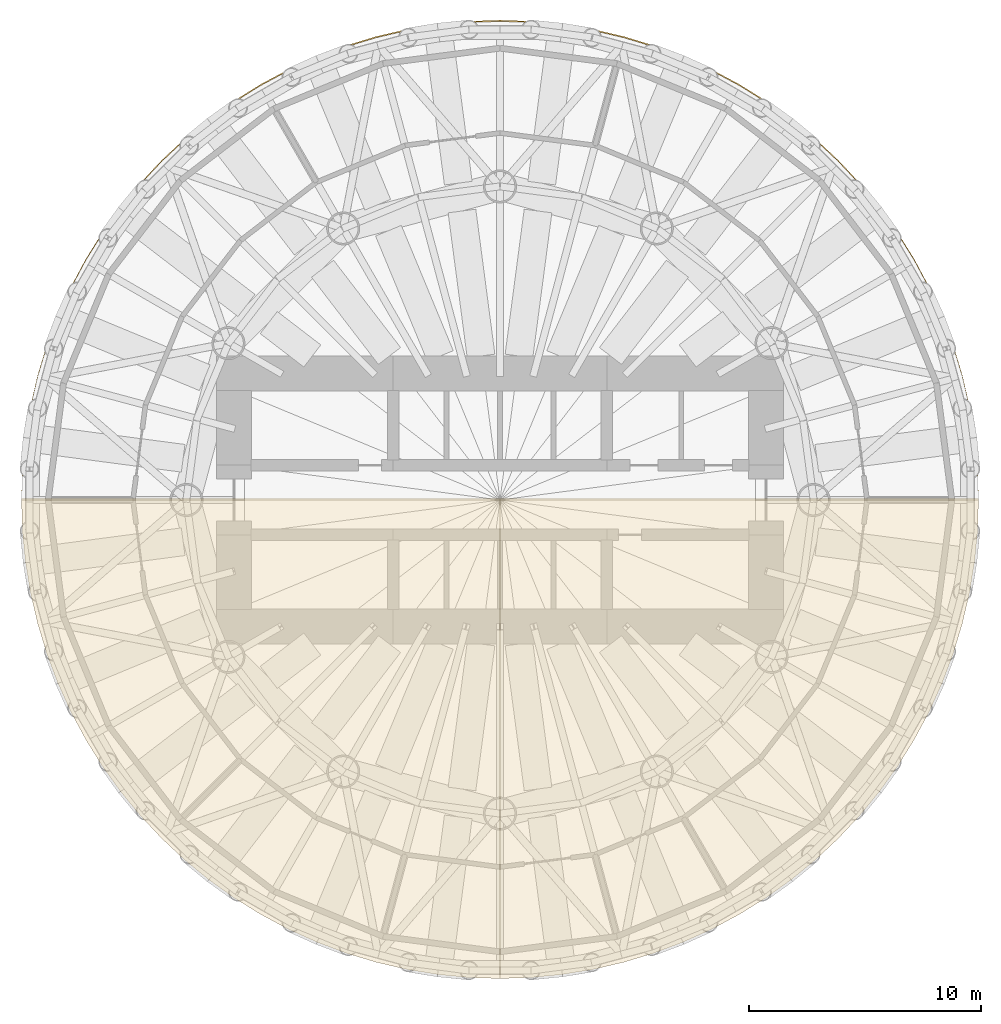
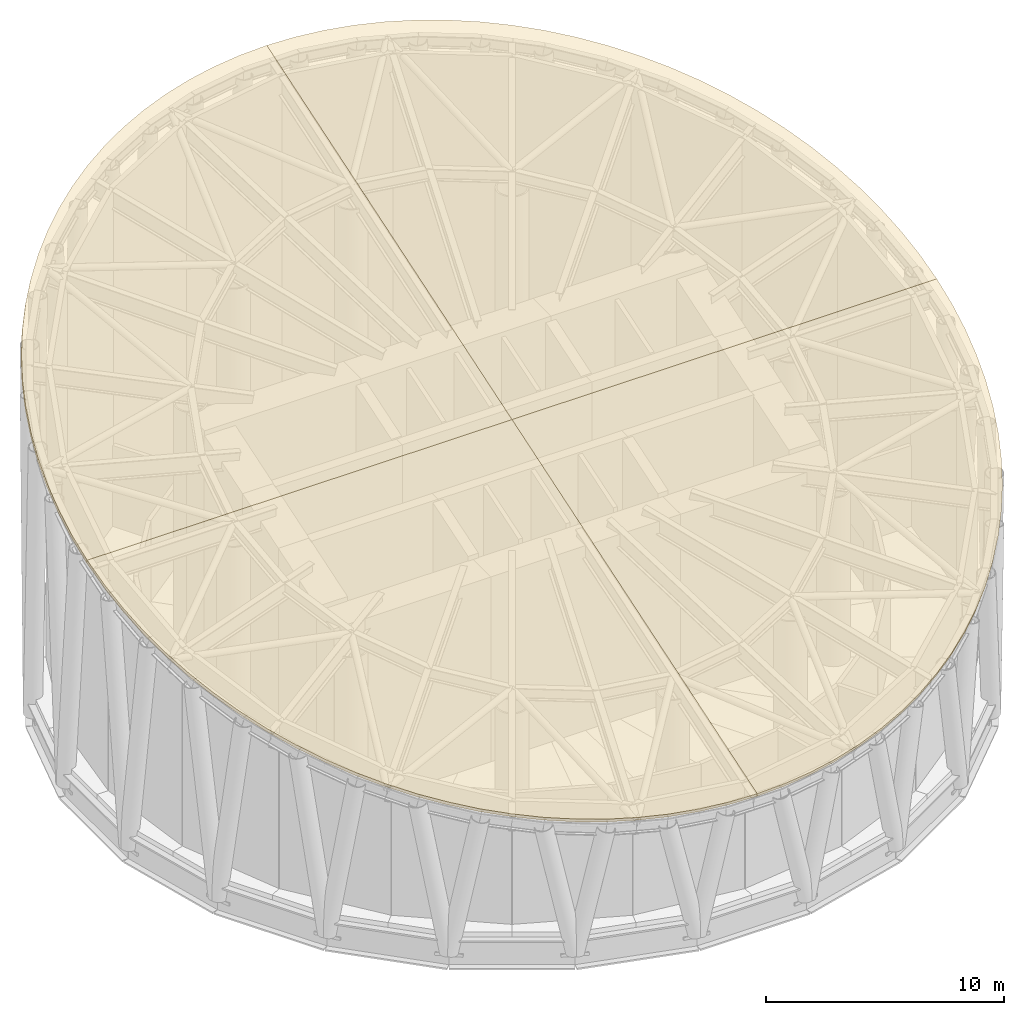
# One storey, part 9 of 9: 4 coverings.
"""IFC4 building model written with IfcOpenShell, lengths in metres."""

from ifc_helpers import new_model, si_unit, direction, frame, origin, place, context, subcontext, project, spatial, polyline, outline, extrude, material, layer, layer_set, type_object, element, save


model = new_model("IFC4")

# Units and contexts
model_context = context("Model", 3, precision=1e-05, world=origin(), true_north=direction((0.0, 1.0)))
body_context = subcontext(model_context, "Body", "Model", "MODEL_VIEW")
ifc_project = project(units=[si_unit("LENGTHUNIT", "METRE"), si_unit("AREAUNIT", "SQUARE_METRE"), si_unit("VOLUMEUNIT", "CUBIC_METRE"), si_unit("PLANEANGLEUNIT", "RADIAN"), si_unit("MASSUNIT", "GRAM", prefix="KILO")], contexts=[model_context])

# Site, building, storey
site_placement = place(None, origin())
site = spatial("IfcSite", under=ifc_project, at=site_placement, CompositionType="ELEMENT")
building_placement = place(site_placement, origin())
building = spatial("IfcBuilding", under=site, at=building_placement, Name="Qaws Media Tower", CompositionType="ELEMENT")
storey_placement = place(building_placement, frame((0.0, 0.0, 286.39990234375)))
storey = spatial("IfcBuildingStorey", under=building, at=storey_placement, Name="L66", CompositionType="ELEMENT", Elevation=286.39990234375)

# Coverings
ifc_material = material(Name="Single-ply membrane on 120 PIR insulation, reflective concrete tiles", Category="concrete")
ifc_layer = layer(ifc_material, 0.179931640625)
ifc_layer_set = layer_set([ifc_layer], Name="Crown roofing 180")
covering_type = type_object("IfcCoveringType", Name="Crown roofing 180", PredefinedType="ROOFING", material=ifc_layer_set)
covering_1_placement = place(storey_placement, frame((60.0, 50.0, 12.176025390625), z_axis=(2.834253e-06, -0.309014204481, 0.951057422778), x_axis=(0.999999999996, 8.75824e-07, -2.695537e-06)))
element("IfcCovering", 1, at=covering_1_placement, inside=storey, type_object=covering_type, Name="RF1 crown roofing EAST-NORTH quadrant", PredefinedType="ROOFING", context=body_context, shape_type="SweptSolid", body=[
    extrude(outline(polyline([(0.0, 0.0), (20.60009765616726, -2.1811201789374803e-21), (20.555908203183208, 1.4167354455490657), (20.423828125118618, 2.8270625538897813), (20.20410156271482, 4.225577197749249), (19.89819335919664, 5.606178674593743), (19.506835937674385, 6.962307761372882), (19.031982422162002, 8.28894340840941), (18.475585937134333, 9.579984913169598), (17.840087890487695, 10.830109454292128), (17.12817382834148, 12.033756155671508), (16.343017577834644, 13.18590396763048), (15.487792968952313, 14.281462260561332), (14.566406249819915, 15.316025254136056), (13.582519531228318, 16.284809953421565), (12.540527343852496, 17.184031710429657), (11.444824218811696, 18.00959824249752), (10.300048827833539, 18.758189285144166), (9.111083984586836, 19.426333688046586), (7.883300781127587, 20.011401898994066), (6.621582031107976, 20.510694785845438), (5.331787109133569, 20.9222039287298), (4.018798827968021, 21.24384546485523), (2.6887207032529257, 21.474847376039893), (1.347412109363402, 21.613741068841108), (-1.313036523584686e-10, 21.660218908584255), (0.0, 0.0)])), origin(), (0.0, 0.0, -1.0), 0.179931640625),
])
covering_2_placement = place(storey_placement, frame((60.0, 50.0, 12.176025390625), z_axis=(-2.834253e-06, -0.309014204481, 0.951057422778), x_axis=(6e-12, 0.951057422782, 0.309014204482)))
element("IfcCovering", 2, at=covering_2_placement, inside=storey, type_object=covering_type, Name="RF1 crown roofing NORTH-WEST quadrant", PredefinedType="ROOFING", context=body_context, shape_type="SweptSolid", body=[
    extrude(outline(polyline([(0.0, 0.0), (21.660218908584255, -3.3881317890172014e-21), (21.61374106883294, 1.3474121094944238), (21.47484737602359, 2.6887207033831055), (21.243845464830866, 4.018798828096801), (20.922203928697478, 5.331787109260399), (20.5106947858053, 6.621582031232312), (20.011401898946275, 7.883300781248895), (19.426333687991352, 9.1110839847046), (18.758189285081727, 10.30004882794725), (18.00959824242814, 11.44482421892087), (17.184031710353636, 12.540527343956665), (16.284809953339224, 13.582519531327037), (15.316025254047753, 14.566406249912761), (14.281462260467444, 15.487792969038887), (13.185903967531408, 16.343017577914573), (12.033756155567678, 17.128173828414425), (10.830109454183981, 17.840087890553345), (9.579984913057599, 18.47558593719241), (8.288943408294037, 19.031982422212252), (6.962307761254632, 19.50683593771659), (5.60617867447312, 19.898193359230625), (4.225577197626772, 20.204101562740433), (2.827062553765973, 20.423828125135756), (1.416735445424456, 20.555908203191795), (-1.2487722642962213e-10, 20.60009765616726), (0.0, 0.0)])), origin(), (0.0, 0.0, -1.0), 0.179931640625),
])
covering_3_placement = place(storey_placement, frame((60.0, 50.0, 12.176025390625), z_axis=(-4.513657e-06, -0.309019734963, 0.951055625809), x_axis=(-0.99999999999, 1.394809e-06, -4.292738e-06)))
element("IfcCovering", 3, at=covering_3_placement, inside=storey, type_object=covering_type, Name="RF1 crown roofing WEST-SOUTH quadrant", PredefinedType="ROOFING", context=body_context, shape_type="SweptSolid", body=[
    extrude(outline(polyline([(0.0, 0.0), (20.600097656040155, -4.3622403578749606e-21), (20.55590820265424, 1.4167354452362944), (20.42382812544624, 2.827137997701536), (20.204101562759977, 4.225652641341798), (19.898193359181924, 5.6061786747009235), (19.506835937764095, 6.96238320500786), (19.031982421932806, 8.28901885179481), (18.47558593752451, 9.579984913605617), (17.840087890263565, 10.830109454243715), (17.12817382822839, 12.033831599153975), (16.343017577970297, 13.185903967868597), (15.487792968844156, 14.281537704048379), (14.566406249643233, 15.316025254126542), (13.58251953167989, 16.284885397350013), (12.540527343975809, 17.18410715409671), (11.44482421903729, 18.009673686243357), (10.300048827926004, 18.758189285340123), (9.111083984424695, 19.42640913147965), (7.883300780788974, 20.011401898841914), (6.621582030828022, 20.510694785735474), (5.33178710912192, 20.922203928827464), (4.018798827750757, 21.243845464785004), (2.688720703361062, 21.47492281966341), (1.3474121088038231, 21.613741068488363), (-3.594169676506345e-10, 21.66021890848743), (0.0, 0.0)])), origin(), (0.0, 0.0, -1.0), 0.179931640625),
])
covering_4_placement = place(storey_placement, frame((60.0, 50.0, 12.176025390625), z_axis=(4.513657e-06, -0.309019734963, 0.951055625809), x_axis=(-1.7e-11, -0.951055625819, -0.309019734966)))
element("IfcCovering", 4, at=covering_4_placement, inside=storey, type_object=covering_type, Name="RF1 crown roofing SOUTH-EAST quadrant", PredefinedType="ROOFING", context=body_context, shape_type="SweptSolid", body=[
    extrude(outline(polyline([(0.0, 0.0), (21.66021890848743, -3.3881317890172014e-21), (21.613741068466005, 1.347412109162469), (21.474922819618794, 2.688720703717404), (21.24384546471832, 4.0187988281032645), (20.92220392873899, 5.33178710946909), (20.5106947856256, 6.621582031168365), (20.011401898711103, 7.883300781121032), (19.426409131328466, 9.111083984747046), (18.75818928516921, 10.300048828237266), (18.009673686053446, 11.44482421933613), (17.184107153888622, 12.540527344260953), (16.284885397124633, 13.582519531950112), (15.316025253884835, 14.566406249897376), (14.28153770379138, 15.487792969081136), (13.185903967597412, 16.343017578189098), (12.03383159886976, 17.12817382842807), (10.830109453947687, 17.84008789044327), (9.579984913299045, 18.475585937683476), (8.289018851479005, 19.03198242207035), (6.9623832046841745, 19.506835937879625), (5.606178674370744, 19.89819335927495), (4.225652641006542, 20.204101562830093), (2.827137997362635, 20.42382812549315), (1.4167354448952016, 20.555908202677752), (-3.4182593740785264e-10, 20.600097656040155), (0.0, 0.0)])), origin(), (0.0, 0.0, -1.0), 0.179931640625),
])

save(model, "model.ifc")
